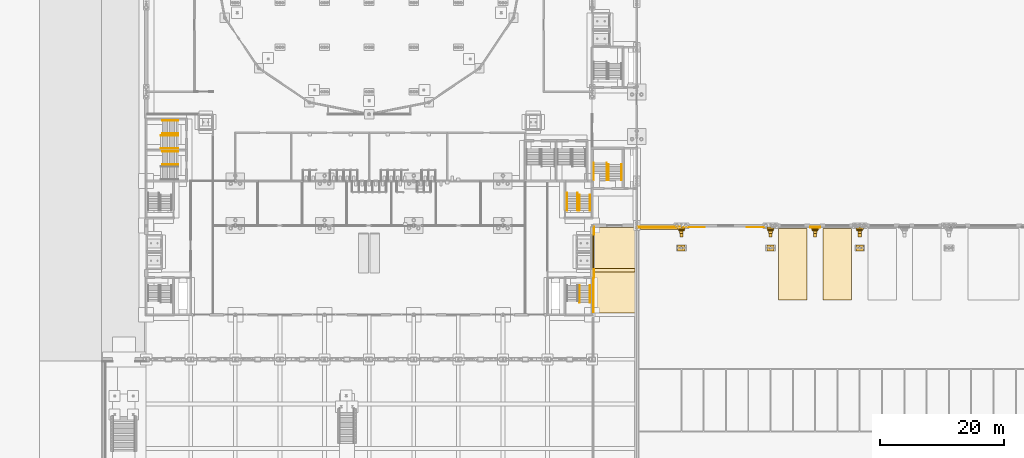
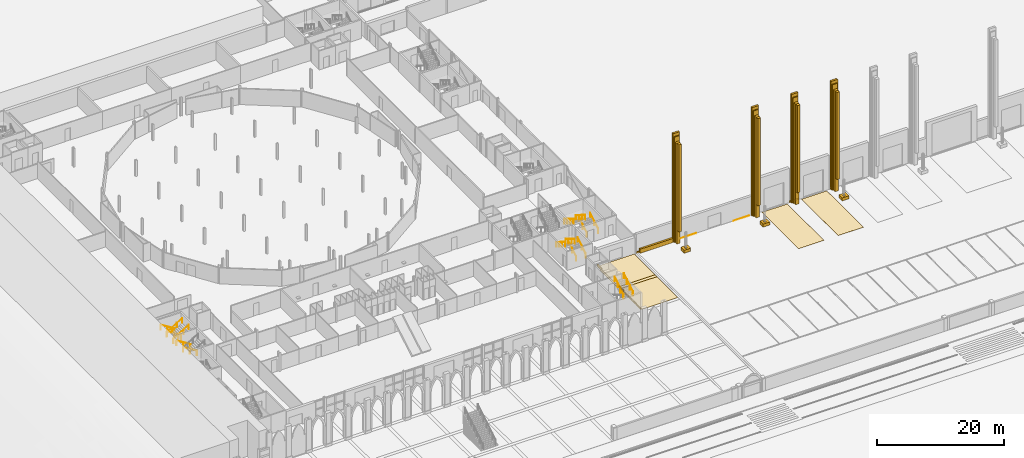
# One storey, part 124 of 148: 33 coverings, 16 railings.
"""IFC4 building model written with IfcOpenShell, lengths in metres."""

from ifc_helpers import new_model, si_unit, direction, frame, origin, origin_2d, place, context, subcontext, project, spatial, polyline, rectangle, circle, outline, extrude, material, layer, layer_set, type_object, element, save


model = new_model("IFC4")

# Units and contexts
model_context = context("Model", 3, precision=1e-05, world=origin(), true_north=direction((0.0, 1.0)))
body_context = subcontext(model_context, "Body", "Model", "MODEL_VIEW")
ifc_project = project(units=[si_unit("LENGTHUNIT", "METRE"), si_unit("AREAUNIT", "SQUARE_METRE"), si_unit("VOLUMEUNIT", "CUBIC_METRE"), si_unit("PLANEANGLEUNIT", "RADIAN"), si_unit("MASSUNIT", "GRAM", prefix="KILO")], contexts=[model_context])

# Site, building, storey
site_placement = place(None, origin())
site = spatial("IfcSite", under=ifc_project, at=site_placement, CompositionType="ELEMENT")
building_placement = place(site_placement, origin())
building = spatial("IfcBuilding", under=site, at=building_placement, Name="Kupolbacken Congress Centre", CompositionType="ELEMENT")
storey_placement = place(building_placement, origin())
storey = spatial("IfcBuildingStorey", under=building, at=storey_placement, Name="L00", CompositionType="ELEMENT", Elevation=0.0)

# Coverings
ifc_material_1 = material(Name="Brick cladding", Category="masonry")
ifc_layer_1 = layer(ifc_material_1, 0.10791015625)
ifc_layer_set_1 = layer_set([ifc_layer_1], Name="Brick cladding")
covering_type_1 = type_object("IfcCoveringType", Name="CV2 brick cladding band 108", PredefinedType="CLADDING", material=ifc_layer_set_1)
covering_1_placement = place(storey_placement, frame((79.48388671875, 35.47509765625, 0.0), z_axis=(0.0, 0.0, 1.0), x_axis=(0.0, 1.0, 0.0)))
element("IfcCovering", 1, at=covering_1_placement, inside=storey, type_object=covering_type_1, Name="E/F/E/L00/025/band", PredefinedType="CLADDING", context=body_context, shape_type="SweptSolid", body=[
    extrude(rectangle(XDim=1.35009765625, YDim=0.10791015625, at=origin_2d()), origin(), (0.0, 0.0, 1.0), 0.300048828125),
])
covering_2_placement = place(storey_placement, frame((79.48388671875, 42.39990234375, 0.0), z_axis=(0.0, 0.0, 1.0), x_axis=(0.0, 1.0, 0.0)))
element("IfcCovering", 2, at=covering_2_placement, inside=storey, type_object=covering_type_1, Name="E/F/E/L00/026/band", PredefinedType="CLADDING", context=body_context, shape_type="SweptSolid", body=[
    extrude(rectangle(XDim=1.300048828125, YDim=0.10791015625, at=origin_2d()), origin(), (0.0, 0.0, 1.0), 0.300048828125),
])
covering_3_placement = place(storey_placement, frame((90.0, 42.93603515625, 0.0), z_axis=(0.0, 0.0, 1.0), x_axis=(1.0, 0.0, 0.0)))
element("IfcCovering", 3, at=covering_3_placement, inside=storey, type_object=covering_type_1, Name="E/H/S/L00/068/band", PredefinedType="CLADDING", context=body_context, shape_type="SweptSolid", body=[
    extrude(rectangle(XDim=6.89990234375, YDim=0.10791015625, at=origin_2d()), origin(), (0.0, 0.0, 1.0), 0.300048828125),
])
covering_4_placement = place(storey_placement, frame((115.199951171875, 42.93603515625, 0.0), z_axis=(0.0, 0.0, 1.0), x_axis=(1.0, 0.0, 0.0)))
element("IfcCovering", 4, at=covering_4_placement, inside=storey, type_object=covering_type_1, Name="E/H/S/L00/072/band", PredefinedType="CLADDING", context=body_context, shape_type="SweptSolid", body=[
    extrude(rectangle(XDim=1.60009765625, YDim=0.10791015625, at=origin_2d()), origin(), (0.0, 0.0, 1.0), 0.300048828125),
])
ifc_material_2 = material(Name="Limestone cladding", Category="masonry")
ifc_layer_2 = layer(ifc_material_2, 0.35009765625)
ifc_layer_set_2 = layer_set([ifc_layer_2], Name="Limestone cladding")
covering_type_2 = type_object("IfcCoveringType", Name="CV3 limestone pilaster strip 350", PredefinedType="CLADDING", material=ifc_layer_set_2)
for number, where, z_axis, x_axis, name in (
    (5, (93.60009765625, 42.764892578125, 0.0), (0.0, 0.0, 1.0), (1.0, 0.0, 0.0), "F/H/S/pil/01/0"),
    (6, (108.0, 42.764892578125, 0.0), (0.0, 0.0, 1.0), (1.0, 0.0, 0.0), "F/H/S/pil/03/0"),
    (7, (115.199951171875, 42.764892578125, 0.0), (0.0, 0.0, 1.0), (1.0, 0.0, 0.0), "F/H/S/pil/04/0"),
    (8, (122.39990234375, 42.764892578125, 0.0), (0.0, 0.0, 1.0), (1.0, 0.0, 0.0), "F/H/S/pil/05/0"),
):
    element("IfcCovering", number, at=place(storey_placement, frame(where, z_axis=z_axis, x_axis=x_axis)), inside=storey, type_object=covering_type_2, Name=name, PredefinedType="CLADDING", context=body_context, shape_type="SweptSolid", body=[
        extrude(rectangle(XDim=1.199951171875, YDim=0.35009765625, at=origin_2d()), origin(), (0.0, 0.0, 1.0), 20.93505859375),
    ])
covering_5_placement = place(storey_placement, frame((90.0, 42.764892578125, 0.0), z_axis=(0.0, 0.0, 1.0), x_axis=(1.0, 0.0, 0.0)))
element("IfcCovering", 9, at=covering_5_placement, inside=storey, type_object=covering_type_2, Name="F/HR/H/S/plinth/00", PredefinedType="CLADDING", context=body_context, shape_type="SweptSolid", body=[
    extrude(rectangle(XDim=6.0, YDim=0.35009765625, at=origin_2d()), origin(), (0.0, 0.0, 1.0), 0.800048828125),
])
ifc_material_3 = material(Name="Limestone cladding", Category="masonry")
ifc_layer_3 = layer(ifc_material_3, 0.60009765625)
ifc_layer_set_3 = layer_set([ifc_layer_3], Name="Limestone cladding")
covering_type_3 = type_object("IfcCoveringType", Name="CV5 limestone arcade pier 600", PredefinedType="CLADDING", material=ifc_layer_set_3)
covering_6_placement = place(storey_placement, frame((0.0, 0.0, 0.02001953125)))
element("IfcCovering", 10, at=covering_6_placement, inside=storey, type_object=covering_type_3, Name="Mast pedestal", PredefinedType="CLADDING", context=body_context, shape_type="SweptSolid", body=[
    extrude(outline(polyline([(93.0, 39.10009765625), (93.0, 40.10009765625), (94.199951171875, 40.10009765625), (94.199951171875, 39.10009765625), (93.0, 39.10009765625)]), holes=[polyline([(93.80224609375, 39.626708984375), (93.797119140625, 39.65283203125), (93.788330078125, 39.677978515625), (93.776611328125, 39.701904296875), (93.76171875, 39.72412109375), (93.744140625, 39.744140625), (93.72412109375, 39.76171875), (93.701904296875, 39.776611328125), (93.677978515625, 39.788330078125), (93.65283203125, 39.797119140625), (93.626708984375, 39.80224609375), (93.60009765625, 39.803955078125), (93.573486328125, 39.80224609375), (93.547119140625, 39.797119140625), (93.52197265625, 39.788330078125), (93.498046875, 39.776611328125), (93.475830078125, 39.76171875), (93.455810546875, 39.744140625), (93.438232421875, 39.72412109375), (93.42333984375, 39.701904296875), (93.41162109375, 39.677978515625), (93.403076171875, 39.65283203125), (93.397705078125, 39.626708984375), (93.39599609375, 39.60009765625), (93.397705078125, 39.573486328125), (93.403076171875, 39.547119140625), (93.41162109375, 39.52197265625), (93.42333984375, 39.498046875), (93.438232421875, 39.475830078125), (93.455810546875, 39.455810546875), (93.475830078125, 39.438232421875), (93.498046875, 39.42333984375), (93.52197265625, 39.41162109375), (93.547119140625, 39.403076171875), (93.573486328125, 39.397705078125), (93.60009765625, 39.39599609375), (93.626708984375, 39.397705078125), (93.65283203125, 39.403076171875), (93.677978515625, 39.41162109375), (93.701904296875, 39.42333984375), (93.72412109375, 39.438232421875), (93.744140625, 39.455810546875), (93.76171875, 39.475830078125), (93.776611328125, 39.498046875), (93.788330078125, 39.52197265625), (93.797119140625, 39.547119140625), (93.80224609375, 39.573486328125), (93.803955078125, 39.60009765625), (93.80224609375, 39.626708984375)])]), origin(), (0.0, 0.0, 1.0), 0.60009765625),
])
covering_7_placement = place(storey_placement, frame((0.0, 0.0, 0.02001953125)))
element("IfcCovering", 11, at=covering_7_placement, inside=storey, type_object=covering_type_3, Name="Mast pedestal", PredefinedType="CLADDING", context=body_context, shape_type="SweptSolid", body=[
    extrude(outline(polyline([(107.39990234375, 39.10009765625), (107.39990234375, 40.10009765625), (108.60009765625, 40.10009765625), (108.60009765625, 39.10009765625), (107.39990234375, 39.10009765625)]), holes=[polyline([(108.2021484375, 39.626708984375), (108.197021484375, 39.65283203125), (108.1884765625, 39.677978515625), (108.176513671875, 39.701904296875), (108.161865234375, 39.72412109375), (108.144287109375, 39.744140625), (108.1240234375, 39.76171875), (108.10205078125, 39.776611328125), (108.077880859375, 39.788330078125), (108.052734375, 39.797119140625), (108.026611328125, 39.80224609375), (108.0, 39.803955078125), (107.973388671875, 39.80224609375), (107.947265625, 39.797119140625), (107.922119140625, 39.788330078125), (107.89794921875, 39.776611328125), (107.8759765625, 39.76171875), (107.855712890625, 39.744140625), (107.838134765625, 39.72412109375), (107.823486328125, 39.701904296875), (107.8115234375, 39.677978515625), (107.802978515625, 39.65283203125), (107.7978515625, 39.626708984375), (107.796142578125, 39.60009765625), (107.7978515625, 39.573486328125), (107.802978515625, 39.547119140625), (107.8115234375, 39.52197265625), (107.823486328125, 39.498046875), (107.838134765625, 39.475830078125), (107.855712890625, 39.455810546875), (107.8759765625, 39.438232421875), (107.89794921875, 39.42333984375), (107.922119140625, 39.41162109375), (107.947265625, 39.403076171875), (107.973388671875, 39.397705078125), (108.0, 39.39599609375), (108.026611328125, 39.397705078125), (108.052734375, 39.403076171875), (108.077880859375, 39.41162109375), (108.10205078125, 39.42333984375), (108.1240234375, 39.438232421875), (108.144287109375, 39.455810546875), (108.161865234375, 39.475830078125), (108.176513671875, 39.498046875), (108.1884765625, 39.52197265625), (108.197021484375, 39.547119140625), (108.2021484375, 39.573486328125), (108.203857421875, 39.60009765625), (108.2021484375, 39.626708984375)])]), origin(), (0.0, 0.0, 1.0), 0.60009765625),
])
covering_8_placement = place(storey_placement, frame((0.0, 0.0, 0.02001953125)))
element("IfcCovering", 12, at=covering_8_placement, inside=storey, type_object=covering_type_3, Name="Mast pedestal", PredefinedType="CLADDING", context=body_context, shape_type="SweptSolid", body=[
    extrude(outline(polyline([(121.800048828125, 39.10009765625), (121.800048828125, 40.10009765625), (123.0, 40.10009765625), (123.0, 39.10009765625), (121.800048828125, 39.10009765625)]), holes=[polyline([(122.602294921875, 39.626708984375), (122.596923828125, 39.65283203125), (122.58837890625, 39.677978515625), (122.57666015625, 39.701904296875), (122.561767578125, 39.72412109375), (122.544189453125, 39.744140625), (122.524169921875, 39.76171875), (122.501953125, 39.776611328125), (122.47802734375, 39.788330078125), (122.452880859375, 39.797119140625), (122.426513671875, 39.80224609375), (122.39990234375, 39.803955078125), (122.373291015625, 39.80224609375), (122.34716796875, 39.797119140625), (122.322021484375, 39.788330078125), (122.298095703125, 39.776611328125), (122.27587890625, 39.76171875), (122.255859375, 39.744140625), (122.23828125, 39.72412109375), (122.223388671875, 39.701904296875), (122.211669921875, 39.677978515625), (122.202880859375, 39.65283203125), (122.19775390625, 39.626708984375), (122.196044921875, 39.60009765625), (122.19775390625, 39.573486328125), (122.202880859375, 39.547119140625), (122.211669921875, 39.52197265625), (122.223388671875, 39.498046875), (122.23828125, 39.475830078125), (122.255859375, 39.455810546875), (122.27587890625, 39.438232421875), (122.298095703125, 39.42333984375), (122.322021484375, 39.41162109375), (122.34716796875, 39.403076171875), (122.373291015625, 39.397705078125), (122.39990234375, 39.39599609375), (122.426513671875, 39.397705078125), (122.452880859375, 39.403076171875), (122.47802734375, 39.41162109375), (122.501953125, 39.42333984375), (122.524169921875, 39.438232421875), (122.544189453125, 39.455810546875), (122.561767578125, 39.475830078125), (122.57666015625, 39.498046875), (122.58837890625, 39.52197265625), (122.596923828125, 39.547119140625), (122.602294921875, 39.573486328125), (122.60400390625, 39.60009765625), (122.602294921875, 39.626708984375)])]), origin(), (0.0, 0.0, 1.0), 0.60009765625),
])
ifc_material_4 = material(Name="Limestone cladding", Category="masonry")
ifc_layer_4 = layer(ifc_material_4, 0.5)
ifc_layer_set_4 = layer_set([ifc_layer_4], Name="Limestone cladding")
covering_type_4 = type_object("IfcCoveringType", Name="CV8 limestone drum pier 500", PredefinedType="CLADDING", material=ifc_layer_set_4)
covering_9_placement = place(storey_placement, frame((93.60009765625, 42.139892578125, 0.0), z_axis=(0.0, 0.0, 1.0), x_axis=(1.0, 0.0, 0.0)))
element("IfcCovering", 13, at=covering_9_placement, inside=storey, type_object=covering_type_4, Name="F/HR/H/S/butt/01-0/0", PredefinedType="CLADDING", context=body_context, shape_type="SweptSolid", body=[
    extrude(rectangle(XDim=0.60009765625, YDim=0.5, at=origin_2d()), origin(), (0.0, 0.0, 1.0), 19.385009765625),
])
covering_10_placement = place(storey_placement, frame((93.60009765625, 41.639892578125, 2.60009765625), z_axis=(0.0, 0.0, 1.0), x_axis=(1.0, 0.0, 0.0)))
element("IfcCovering", 14, at=covering_10_placement, inside=storey, type_object=covering_type_4, Name="F/HR/H/S/butt2/01-0/0", PredefinedType="CLADDING", context=body_context, shape_type="SweptSolid", body=[
    extrude(rectangle(XDim=0.5, YDim=0.5, at=origin_2d()), origin(), (0.0, 0.0, 1.0), 16.784912109375),
])
covering_11_placement = place(storey_placement, frame((108.0, 42.139892578125, 0.0), z_axis=(0.0, 0.0, 1.0), x_axis=(1.0, 0.0, 0.0)))
element("IfcCovering", 15, at=covering_11_placement, inside=storey, type_object=covering_type_4, Name="F/HR/H/S/butt/03-0/0", PredefinedType="CLADDING", context=body_context, shape_type="SweptSolid", body=[
    extrude(rectangle(XDim=0.60009765625, YDim=0.5, at=origin_2d()), origin(), (0.0, 0.0, 1.0), 19.385009765625),
])
covering_12_placement = place(storey_placement, frame((108.0, 41.639892578125, 2.60009765625), z_axis=(0.0, 0.0, 1.0), x_axis=(1.0, 0.0, 0.0)))
element("IfcCovering", 16, at=covering_12_placement, inside=storey, type_object=covering_type_4, Name="F/HR/H/S/butt2/03-0/0", PredefinedType="CLADDING", context=body_context, shape_type="SweptSolid", body=[
    extrude(rectangle(XDim=0.5, YDim=0.5, at=origin_2d()), origin(), (0.0, 0.0, 1.0), 16.784912109375),
])
covering_13_placement = place(storey_placement, frame((115.199951171875, 42.139892578125, 0.0), z_axis=(0.0, 0.0, 1.0), x_axis=(1.0, 0.0, 0.0)))
element("IfcCovering", 17, at=covering_13_placement, inside=storey, type_object=covering_type_4, Name="F/HR/H/S/butt/04-0/0", PredefinedType="CLADDING", context=body_context, shape_type="SweptSolid", body=[
    extrude(rectangle(XDim=0.60009765625, YDim=0.5, at=origin_2d()), origin(), (0.0, 0.0, 1.0), 19.385009765625),
])
covering_14_placement = place(storey_placement, frame((115.199951171875, 41.639892578125, 2.60009765625), z_axis=(0.0, 0.0, 1.0), x_axis=(1.0, 0.0, 0.0)))
element("IfcCovering", 18, at=covering_14_placement, inside=storey, type_object=covering_type_4, Name="F/HR/H/S/butt2/04-0/0", PredefinedType="CLADDING", context=body_context, shape_type="SweptSolid", body=[
    extrude(rectangle(XDim=0.5, YDim=0.5, at=origin_2d()), origin(), (0.0, 0.0, 1.0), 16.784912109375),
])
covering_15_placement = place(storey_placement, frame((122.39990234375, 42.139892578125, 0.0), z_axis=(0.0, 0.0, 1.0), x_axis=(1.0, 0.0, 0.0)))
element("IfcCovering", 19, at=covering_15_placement, inside=storey, type_object=covering_type_4, Name="F/HR/H/S/butt/05-0/0", PredefinedType="CLADDING", context=body_context, shape_type="SweptSolid", body=[
    extrude(rectangle(XDim=0.60009765625, YDim=0.5, at=origin_2d()), origin(), (0.0, 0.0, 1.0), 19.385009765625),
])
covering_16_placement = place(storey_placement, frame((122.39990234375, 41.639892578125, 2.60009765625), z_axis=(0.0, 0.0, 1.0), x_axis=(1.0, 0.0, 0.0)))
element("IfcCovering", 20, at=covering_16_placement, inside=storey, type_object=covering_type_4, Name="F/HR/H/S/butt2/05-0/0", PredefinedType="CLADDING", context=body_context, shape_type="SweptSolid", body=[
    extrude(rectangle(XDim=0.5, YDim=0.5, at=origin_2d()), origin(), (0.0, 0.0, 1.0), 16.784912109375),
])
ifc_material_5 = material(Name="Limestone cladding", Category="masonry")
ifc_layer_5 = layer(ifc_material_5, 0.199951171875)
ifc_layer_set_5 = layer_set([ifc_layer_5], Name="Limestone cladding")
covering_type_5 = type_object("IfcCoveringType", Name="CV9 limestone drum arch frame 200", PredefinedType="CLADDING", material=ifc_layer_set_5)
for number, where, z_axis, x_axis, name in (
    (21, (93.60009765625, 42.489990234375, 0.0), (0.0, 0.0, 1.0), (1.0, 0.0, 0.0), "F/HR/H/S/rib/01-0/0"),
    (22, (108.0, 42.489990234375, 0.0), (0.0, 0.0, 1.0), (1.0, 0.0, 0.0), "F/HR/H/S/rib/03-0/0"),
    (23, (115.199951171875, 42.489990234375, 0.0), (0.0, 0.0, 1.0), (1.0, 0.0, 0.0), "F/HR/H/S/rib/04-0/0"),
    (24, (122.39990234375, 42.489990234375, 0.0), (0.0, 0.0, 1.0), (1.0, 0.0, 0.0), "F/HR/H/S/rib/05-0/0"),
):
    element("IfcCovering", number, at=place(storey_placement, frame(where, z_axis=z_axis, x_axis=x_axis)), inside=storey, type_object=covering_type_5, Name=name, PredefinedType="CLADDING", context=body_context, shape_type="SweptSolid", body=[
        extrude(rectangle(XDim=0.89990234375, YDim=0.199951171875, at=origin_2d()), origin(), (0.0, 0.0, 1.0), 20.3349609375),
    ])
ifc_material_6 = material(Name="Limestone cladding", Category="masonry")
ifc_layer_6 = layer(ifc_material_6, 0.02001953125)
ifc_layer_set_6 = layer_set([ifc_layer_6], Name="Limestone cladding")
covering_type_6 = type_object("IfcCoveringType", Name="GF1 limestone paving 20", PredefinedType="FLOORING", material=ifc_layer_set_6)
covering_17_placement = place(storey_placement, origin())
element("IfcCovering", 25, at=covering_17_placement, inside=storey, type_object=covering_type_6, Name="Footpath limestone paving", PredefinedType="FLOORING", context=body_context, shape_type="SweptSolid", body=[
    extrude(outline(polyline([(79.571044921875, 29.1044921875), (79.539306640625, 29.139404296875), (79.50439453125, 29.171142578125), (79.50048828125, 29.174072265625), (79.50048828125, 34.798095703125), (79.5400390625, 34.798095703125), (79.5400390625, 35.699951171875), (86.099609375, 35.699951171875), (86.099609375, 29.10009765625), (79.574462890625, 29.10009765625), (79.59912109375, 29.066650390625), (79.571044921875, 29.1044921875)])), origin(), (0.0, 0.0, 1.0), 0.02001953125),
])
covering_18_placement = place(storey_placement, origin())
element("IfcCovering", 26, at=covering_18_placement, inside=storey, type_object=covering_type_6, Name="Footpath limestone paving", PredefinedType="FLOORING", context=body_context, shape_type="SweptSolid", body=[
    extrude(outline(polyline([(79.50048828125, 41.748046875), (79.5400390625, 41.748046875), (79.5400390625, 42.861083984375), (79.566162109375, 42.889892578125), (86.033935546875, 42.889892578125), (86.060546875, 42.860595703125), (86.095458984375, 42.828857421875), (86.13330078125, 42.80078125), (86.173583984375, 42.776611328125), (86.17041015625, 42.778564453125), (86.134765625, 42.53662109375), (86.099609375, 42.396240234375), (86.099609375, 36.300048828125), (79.50048828125, 36.300048828125), (79.50048828125, 41.748046875)])), origin(), (0.0, 0.0, 1.0), 0.02001953125),
])
ifc_material_7 = material(Name="Brick", Category="masonry")
ifc_layer_7 = layer(ifc_material_7, 0.02001953125)
ifc_layer_set_7 = layer_set([ifc_layer_7], Name="Brick")
covering_type_7 = type_object("IfcCoveringType", Name="GF2 brick paving 20", PredefinedType="FLOORING", material=ifc_layer_set_7)
covering_19_placement = place(storey_placement, origin())
element("IfcCovering", 27, at=covering_19_placement, inside=storey, type_object=covering_type_7, Name="Footpath paving band", PredefinedType="FLOORING", context=body_context, shape_type="SweptSolid", body=[
    extrude(outline(polyline([(79.5400390625, 35.699951171875), (79.5400390625, 36.152099609375), (79.50048828125, 36.152099609375), (79.50048828125, 36.300048828125), (86.099609375, 36.300048828125), (86.099609375, 35.699951171875), (79.5400390625, 35.699951171875)])), origin(), (0.0, 0.0, 1.0), 0.02001953125),
])
ifc_material_8 = material(Name="Asphalt", Category="masonry")
ifc_layer_8 = layer(ifc_material_8, 0.02001953125)
ifc_layer_set_8 = layer_set([ifc_layer_8], Name="Asphalt")
covering_type_8 = type_object("IfcCoveringType", Name="GF3 asphalt dock hardstanding 20", PredefinedType="FLOORING", material=ifc_layer_set_8)
covering_20_placement = place(storey_placement, origin())
element("IfcCovering", 28, at=covering_20_placement, inside=storey, type_object=covering_type_8, Name="Dock hardstanding", PredefinedType="FLOORING", context=body_context, shape_type="SweptSolid", body=[
    extrude(outline(polyline([(113.89990234375, 42.75), (113.89990234375, 31.199951171875), (109.300048828125, 31.199951171875), (109.300048828125, 42.75), (113.89990234375, 42.75)])), origin(), (0.0, 0.0, 1.0), 0.02001953125),
])
covering_21_placement = place(storey_placement, origin())
element("IfcCovering", 29, at=covering_21_placement, inside=storey, type_object=covering_type_8, Name="Dock hardstanding", PredefinedType="FLOORING", context=body_context, shape_type="SweptSolid", body=[
    extrude(outline(polyline([(121.10009765625, 31.199951171875), (116.5, 31.199951171875), (116.5, 42.75), (121.10009765625, 42.75), (121.10009765625, 31.199951171875)])), origin(), (0.0, 0.0, 1.0), 0.02001953125),
])
ifc_material_9 = material(Name="Granite setts", Category="masonry")
ifc_layer_9 = layer(ifc_material_9, 0.10009765625)
ifc_layer_set_9 = layer_set([ifc_layer_9], Name="Granite setts")
covering_type_9 = type_object("IfcCoveringType", Name="GR3 granite sett paving 100", PredefinedType="FLOORING", material=ifc_layer_set_9)
covering_22_placement = place(storey_placement, origin())
element("IfcCovering", 30, at=covering_22_placement, inside=storey, type_object=covering_type_9, Name="Granite kerb edging", PredefinedType="FLOORING", context=body_context, shape_type="SweptSolid", body=[
    extrude(outline(polyline([(93.9990234375, 42.933349609375), (94.01513671875, 42.9599609375), (97.411865234375, 42.9599609375), (97.414794921875, 42.8994140625), (93.97412109375, 42.8994140625), (93.9990234375, 42.933349609375)])), origin(), (0.0, 0.0, 1.0), 0.10009765625),
])
covering_23_placement = place(storey_placement, origin())
element("IfcCovering", 31, at=covering_23_placement, inside=storey, type_object=covering_type_9, Name="Granite kerb edging", PredefinedType="FLOORING", context=body_context, shape_type="SweptSolid", body=[
    extrude(outline(polyline([(107.01171875, 42.9599609375), (107.014892578125, 42.8994140625), (104.185302734375, 42.8994140625), (104.188232421875, 42.9599609375), (107.01171875, 42.9599609375)])), origin(), (0.0, 0.0, 1.0), 0.10009765625),
])
covering_24_placement = place(storey_placement, origin())
element("IfcCovering", 32, at=covering_24_placement, inside=storey, type_object=covering_type_9, Name="Granite kerb edging", PredefinedType="FLOORING", context=body_context, shape_type="SweptSolid", body=[
    extrude(outline(polyline([(79.35498046875, 34.89501953125), (79.427978515625, 34.89501953125), (79.427978515625, 34.798095703125), (79.50048828125, 34.798095703125), (79.50048828125, 29.174072265625), (79.466796875, 29.19921875), (79.42626953125, 29.223388671875), (79.3837890625, 29.243408203125), (79.35498046875, 29.25390625), (79.35498046875, 34.64501953125), (79.35498046875, 34.89501953125)])), origin(), (0.0, 0.0, 1.0), 0.10009765625),
])
covering_25_placement = place(storey_placement, origin())
element("IfcCovering", 33, at=covering_25_placement, inside=storey, type_object=covering_type_9, Name="Granite kerb edging", PredefinedType="FLOORING", context=body_context, shape_type="SweptSolid", body=[
    extrude(outline(polyline([(79.4599609375, 41.748046875), (79.50048828125, 41.748046875), (79.50048828125, 36.152099609375), (79.4599609375, 36.152099609375), (79.4599609375, 36.179931640625), (79.202392578125, 36.179931640625), (79.202392578125, 41.719970703125), (79.4599609375, 41.719970703125), (79.4599609375, 41.748046875)])), origin(), (0.0, 0.0, 1.0), 0.10009765625),
])

# Railings
ifc_material_10 = material(Name="Steel S235", Category="steel")
railing_type = type_object("IfcRailingType", Name="RL3 handrail wall-mounted 900", PredefinedType="HANDRAIL", material=ifc_material_10)
for number, where, name in (
    (34, (77.14990234375, 30.7451171875, 1.8857421875), "C/stair/FS1E/L00/HR2L"),
    (35, (78.85009765625, 30.7451171875, 1.8857421875), "C/stair/FS1E/L00/HR2R"),
):
    element("IfcRailing", number, at=place(storey_placement, frame(where)), inside=storey, type_object=railing_type, Name=name, PredefinedType="HANDRAIL", context=body_context, shape_type="SweptSolid", body=[
        extrude(circle(Radius=0.02392578125, at=origin_2d()), frame((0.0, 0.0, 0.8759765625), z_axis=(0.0, 0.852825620865, 0.522195806567), x_axis=(-1.0, 0.0, 0.0)), (0.0, 0.0, 1.0), 3.282958984375),
        extrude(circle(Radius=0.02099609375, at=origin_2d()), origin(), (0.0, 0.0, 1.0), 0.851806640625),
        extrude(circle(Radius=0.02099609375, at=origin_2d()), frame((0.0, 0.933349609375, 0.571533203125)), (0.0, 0.0, 1.0), 0.851806640625),
        extrude(circle(Radius=0.02099609375, at=origin_2d()), frame((0.0, 1.866455078125, 1.142822265625)), (0.0, 0.0, 1.0), 0.851806640625),
        extrude(circle(Radius=0.02099609375, at=origin_2d()), frame((0.0, 2.7998046875, 1.71435546875)), (0.0, 0.0, 1.0), 0.851806640625),
    ])
for number, where, name in (
    (36, (77.14990234375, 45.655029296875, 0.17138671875), "C/stair/FS2E/L00/HR1L"),
    (37, (78.85009765625, 45.655029296875, 0.17138671875), "C/stair/FS2E/L00/HR1R"),
):
    element("IfcRailing", number, at=place(storey_placement, frame(where)), inside=storey, type_object=railing_type, Name=name, PredefinedType="HANDRAIL", context=body_context, shape_type="SweptSolid", body=[
        extrude(circle(Radius=0.02392578125, at=origin_2d()), frame((0.0, 0.0, 0.8759765625), z_axis=(0.0, 0.852836285881, 0.522178388565), x_axis=(-1.0, 0.0, 0.0)), (0.0, 0.0, 1.0), 2.954833984375),
        extrude(circle(Radius=0.02099609375, at=origin_2d()), origin(), (0.0, 0.0, 1.0), 0.851806640625),
        extrude(circle(Radius=0.02099609375, at=origin_2d()), frame((0.0, 1.260009765625, 0.771484375)), (0.0, 0.0, 1.0), 0.851806640625),
        extrude(circle(Radius=0.02099609375, at=origin_2d()), frame((0.0, 2.52001953125, 1.54296875)), (0.0, 0.0, 1.0), 0.851806640625),
    ])
for number, where, name in (
    (38, (76.85009765625, 48.455078125, 1.8857421875), "C/stair/FS2E/L00/HR2L"),
    (39, (75.14990234375, 48.455078125, 1.8857421875), "C/stair/FS2E/L00/HR2R"),
):
    element("IfcRailing", number, at=place(storey_placement, frame(where)), inside=storey, type_object=railing_type, Name=name, PredefinedType="HANDRAIL", context=body_context, shape_type="SweptSolid", body=[
        extrude(circle(Radius=0.02392578125, at=origin_2d()), frame((0.0, 0.0, 0.8759765625), z_axis=(0.0, -0.852845897599, 0.522162690116), x_axis=(1.0, 0.0, 0.0)), (0.0, 0.0, 1.0), 3.283203125),
        extrude(circle(Radius=0.02099609375, at=origin_2d()), origin(), (0.0, 0.0, 1.0), 0.851806640625),
        extrude(circle(Radius=0.02099609375, at=origin_2d()), frame((0.0, -0.933349609375, 0.571533203125)), (0.0, 0.0, 1.0), 0.851806640625),
        extrude(circle(Radius=0.02099609375, at=origin_2d()), frame((0.0, -1.86669921875, 1.142822265625)), (0.0, 0.0, 1.0), 0.851806640625),
        extrude(circle(Radius=0.02099609375, at=origin_2d()), frame((0.0, -2.800048828125, 1.71435546875)), (0.0, 0.0, 1.0), 0.851806640625),
    ])
for number, where, name in (
    (40, (12.344970703125, 53.050048828125, 0.17138671875), "C/stair/PS1SW/L00/HR1L"),
    (41, (12.344970703125, 55.14990234375, 0.17138671875), "C/stair/PS1SW/L00/HR1R"),
    (42, (12.344970703125, 58.050048828125, 0.17138671875), "C/stair/PS2SW/L00/HR1L"),
    (43, (12.344970703125, 60.14990234375, 0.17138671875), "C/stair/PS2SW/L00/HR1R"),
):
    element("IfcRailing", number, at=place(storey_placement, frame(where)), inside=storey, type_object=railing_type, Name=name, PredefinedType="HANDRAIL", context=body_context, shape_type="SweptSolid", body=[
        extrude(circle(Radius=0.02392578125, at=origin_2d()), frame((0.0, 0.0, 0.8759765625), z_axis=(-0.852836285881, 0.0, 0.522178388565), x_axis=(0.0, -1.0, 0.0)), (0.0, 0.0, 1.0), 2.954833984375),
        extrude(circle(Radius=0.02099609375, at=origin_2d()), origin(), (0.0, 0.0, 1.0), 0.851806640625),
        extrude(circle(Radius=0.02099609375, at=origin_2d()), frame((-1.260009765625, 0.0, 0.771484375)), (0.0, 0.0, 1.0), 0.851806640625),
        extrude(circle(Radius=0.02099609375, at=origin_2d()), frame((-2.52001953125, 0.0, 1.54296875)), (0.0, 0.0, 1.0), 0.851806640625),
    ])
for number, where, name in (
    (44, (9.544921875, 57.75, 1.8857421875), "C/stair/PS2SW/L00/HR2L"),
    (45, (9.544921875, 55.64990234375, 1.8857421875), "C/stair/PS2SW/L00/HR2R"),
):
    element("IfcRailing", number, at=place(storey_placement, frame(where)), inside=storey, type_object=railing_type, Name=name, PredefinedType="HANDRAIL", context=body_context, shape_type="SweptSolid", body=[
        extrude(circle(Radius=0.02392578125, at=origin_2d()), frame((0.0, 0.0, 0.8759765625), z_axis=(0.852845897599, 0.0, 0.522162690116), x_axis=(0.0, 1.0, 0.0)), (0.0, 0.0, 1.0), 3.283203125),
        extrude(circle(Radius=0.02099609375, at=origin_2d()), origin(), (0.0, 0.0, 1.0), 0.851806640625),
        extrude(circle(Radius=0.02099609375, at=origin_2d()), frame((0.933349609375, 0.0, 0.571533203125)), (0.0, 0.0, 1.0), 0.851806640625),
        extrude(circle(Radius=0.02099609375, at=origin_2d()), frame((1.86669921875, 0.0, 1.142822265625)), (0.0, 0.0, 1.0), 0.851806640625),
        extrude(circle(Radius=0.02099609375, at=origin_2d()), frame((2.800048828125, 0.0, 1.71435546875)), (0.0, 0.0, 1.0), 0.851806640625),
    ])
for number, where, name in (
    (46, (81.85009765625, 50.530029296875, 0.17138671875), "C/stair/LS1/L00/HR1L"),
    (47, (83.949951171875, 50.530029296875, 0.17138671875), "C/stair/LS1/L00/HR1R"),
):
    element("IfcRailing", number, at=place(storey_placement, frame(where)), inside=storey, type_object=railing_type, Name=name, PredefinedType="HANDRAIL", context=body_context, shape_type="SweptSolid", body=[
        extrude(circle(Radius=0.02392578125, at=origin_2d()), frame((0.0, 0.0, 0.8759765625), z_axis=(0.0, 0.852836285881, 0.522178388565), x_axis=(-1.0, 0.0, 0.0)), (0.0, 0.0, 1.0), 2.954833984375),
        extrude(circle(Radius=0.02099609375, at=origin_2d()), origin(), (0.0, 0.0, 1.0), 0.851806640625),
        extrude(circle(Radius=0.02099609375, at=origin_2d()), frame((0.0, 1.260009765625, 0.771484375)), (0.0, 0.0, 1.0), 0.851806640625),
        extrude(circle(Radius=0.02099609375, at=origin_2d()), frame((0.0, 2.52001953125, 1.54296875)), (0.0, 0.0, 1.0), 0.851806640625),
    ])
for number, where, name in (
    (48, (81.550048828125, 53.330078125, 1.8857421875), "C/stair/LS1/L00/HR2L"),
    (49, (79.449951171875, 53.330078125, 1.8857421875), "C/stair/LS1/L00/HR2R"),
):
    element("IfcRailing", number, at=place(storey_placement, frame(where)), inside=storey, type_object=railing_type, Name=name, PredefinedType="HANDRAIL", context=body_context, shape_type="SweptSolid", body=[
        extrude(circle(Radius=0.02392578125, at=origin_2d()), frame((0.0, 0.0, 0.8759765625), z_axis=(0.0, -0.852845897599, 0.522162690116), x_axis=(1.0, 0.0, 0.0)), (0.0, 0.0, 1.0), 3.283203125),
        extrude(circle(Radius=0.02099609375, at=origin_2d()), origin(), (0.0, 0.0, 1.0), 0.851806640625),
        extrude(circle(Radius=0.02099609375, at=origin_2d()), frame((0.0, -0.933349609375, 0.571533203125)), (0.0, 0.0, 1.0), 0.851806640625),
        extrude(circle(Radius=0.02099609375, at=origin_2d()), frame((0.0, -1.86669921875, 1.142822265625)), (0.0, 0.0, 1.0), 0.851806640625),
        extrude(circle(Radius=0.02099609375, at=origin_2d()), frame((0.0, -2.800048828125, 1.71435546875)), (0.0, 0.0, 1.0), 0.851806640625),
    ])

save(model, "model.ifc")
